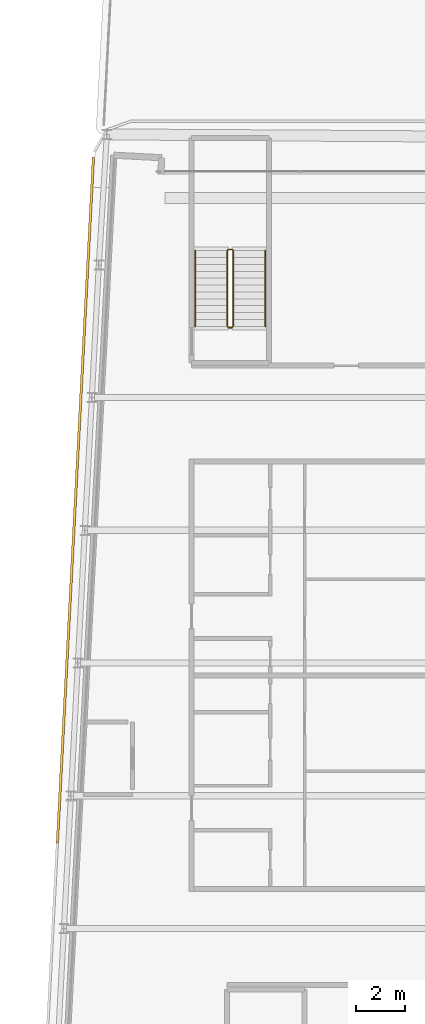
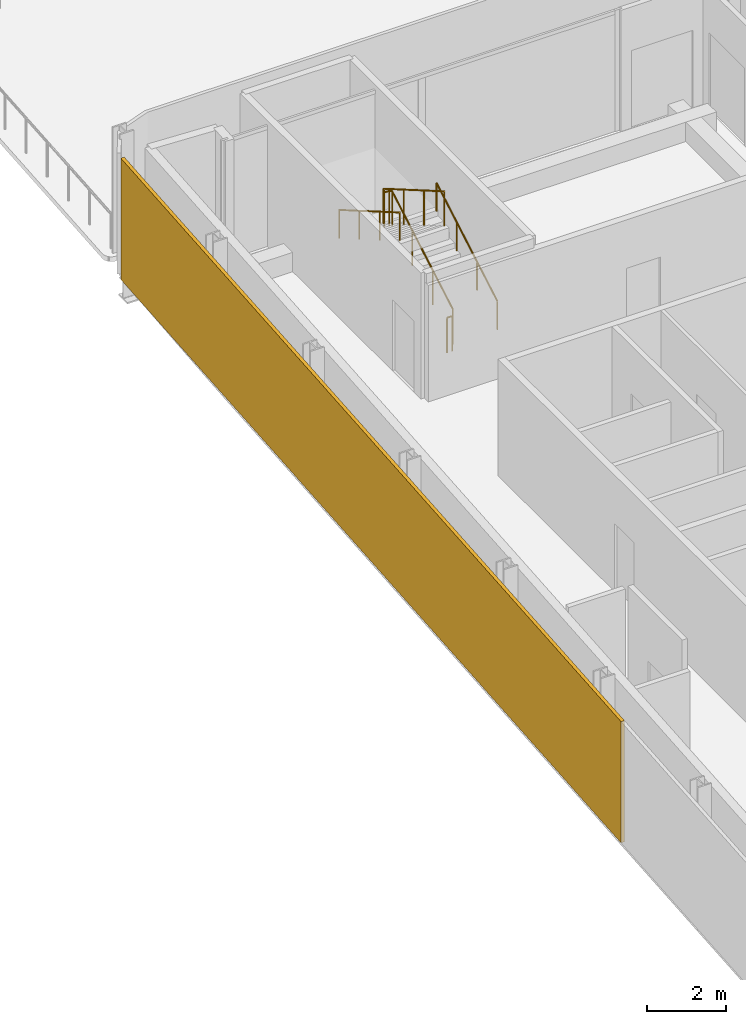
# One storey, part 20 of 22: 4 railings, 1 shading device.
"""IFC4 building model written with IfcOpenShell, lengths in metres."""

from ifc_helpers import new_model, si_unit, direction, frame, origin, origin_2d, place, context, subcontext, project, spatial, rectangle, circle, extrude, material, layer, layer_set, type_object, element, save


model = new_model("IFC4")

# Units and contexts
model_context = context("Model", 3, precision=1e-05, world=origin(), true_north=direction((0.0, 1.0)))
body_context = subcontext(model_context, "Body", "Model", "MODEL_VIEW")
ifc_project = project(units=[si_unit("LENGTHUNIT", "METRE"), si_unit("AREAUNIT", "SQUARE_METRE"), si_unit("VOLUMEUNIT", "CUBIC_METRE"), si_unit("PLANEANGLEUNIT", "RADIAN"), si_unit("MASSUNIT", "GRAM", prefix="KILO")], contexts=[model_context])

# Site, building, storey
site_placement = place(None, origin())
site = spatial("IfcSite", under=ifc_project, at=site_placement, CompositionType="ELEMENT")
building_placement = place(site_placement, origin())
building = spatial("IfcBuilding", under=site, at=building_placement, Name="Kheshtan School and Residences Tower", CompositionType="ELEMENT")
storey_placement = place(building_placement, frame((0.0, 0.0, 216.199951171875)))
storey = spatial("IfcBuildingStorey", under=building, at=storey_placement, Name="L50", CompositionType="ELEMENT", Elevation=216.199951171875)

# Shading device
ifc_material_1 = material(Name="Terracotta baguette, extruded ceramic", Category="masonry")
ifc_layer = layer(ifc_material_1, 0.10009765625)
ifc_layer_set = layer_set([ifc_layer], Name="Ledge screen, terracotta baguettes")
shading_device_type = type_object("IfcShadingDeviceType", Name="Ledge screen, terracotta baguettes", PredefinedType="USERDEFINED", material=ifc_layer_set)
shading_device_placement = place(storey_placement, frame((28.572998046875, 73.833984375, 0.0), z_axis=(0.0, 0.0, 1.0), x_axis=(0.052562536748, 0.998617634398, 0.0)))
element("IfcShadingDevice", 1, at=shading_device_placement, inside=storey, type_object=shading_device_type, Name="Screen L50 5", ObjectType="BAGUETTE", PredefinedType="USERDEFINED", context=body_context, shape_type="SweptSolid", body=[
    extrude(rectangle(XDim=27.93408203125, YDim=0.10009765625, at=origin_2d()), origin(), (0.0, 0.0, 1.0), 3.75),
])

# Railings
ifc_material_2 = material(Name="Stainless steel balustrade", Category="steel")
railing_type_1 = type_object("IfcRailingType", Name="Stair guard 1100", PredefinedType="GUARDRAIL", material=ifc_material_2)
railing_1_placement = place(storey_placement, frame((35.0, 80.89990234375, 0.16259765625)))
element("IfcRailing", 2, at=railing_1_placement, inside=storey, type_object=railing_type_1, Name="L50 ST3 stair guard 1", PredefinedType="GUARDRAIL", context=body_context, shape_type="SweptSolid", body=[
    extrude(circle(Radius=0.02392578125, at=origin_2d()), frame((0.0, 0.0, 1.076171875), z_axis=(0.0, 0.864920483161, 0.501908913857), x_axis=(-1.0, 0.0, 0.0)), (0.0, 0.0, 1.0), 3.56103515625),
    extrude(circle(Radius=0.02392578125, at=origin_2d()), frame((0.0, 3.080078125, 2.86328125), z_axis=(-0.707106781187, 0.707106781187, 0.0), x_axis=(-0.707106781187, -0.707106781187, 0.0)), (0.0, 0.0, 1.0), 0.07080078125),
    extrude(circle(Radius=0.02392578125, at=origin_2d()), frame((-0.050048828125, 3.130126953125, 2.86328125), z_axis=(-1.0, 0.0, 0.0), x_axis=(0.0, -1.0, 0.0)), (0.0, 0.0, 1.0), 0.14990234375),
    extrude(circle(Radius=0.02392578125, at=origin_2d()), frame((-0.199951171875, 3.130126953125, 2.86328125), z_axis=(-0.282227285176, -0.282227285176, 0.916894497205), x_axis=(0.707106781187, -0.707106781187, 0.0)), (0.0, 0.0, 1.0), 0.17724609375),
    extrude(circle(Radius=0.02392578125, at=origin_2d()), frame((-0.25, 3.080078125, 3.02587890625), z_axis=(0.0, -0.864890721111, 0.501960198159), x_axis=(1.0, 0.0, 0.0)), (0.0, 0.0, 1.0), 3.561279296875),
    extrude(circle(Radius=0.02099609375, at=origin_2d()), origin(), (0.0, 0.0, 1.0), 1.052001953125),
    extrude(circle(Radius=0.02099609375, at=origin_2d()), frame((0.0, 1.026611328125, 0.595703125)), (0.0, 0.0, 1.0), 1.052001953125),
    extrude(circle(Radius=0.02099609375, at=origin_2d()), frame((0.0, 2.053466796875, 1.191650390625)), (0.0, 0.0, 1.0), 1.052001953125),
    extrude(circle(Radius=0.02099609375, at=origin_2d()), frame((0.0, 3.080078125, 1.787353515625)), (0.0, 0.0, 1.0), 1.052001953125),
    extrude(circle(Radius=0.02099609375, at=origin_2d()), frame((-0.050048828125, 3.130126953125, 1.787353515625)), (0.0, 0.0, 1.0), 1.052001953125),
    extrude(circle(Radius=0.02099609375, at=origin_2d()), frame((-0.199951171875, 3.130126953125, 1.787353515625)), (0.0, 0.0, 1.0), 1.052001953125),
    extrude(circle(Radius=0.02099609375, at=origin_2d()), frame((-0.25, 3.080078125, 1.949951171875)), (0.0, 0.0, 1.0), 1.052001953125),
    extrude(circle(Radius=0.02099609375, at=origin_2d()), frame((-0.25, 2.053466796875, 2.5458984375)), (0.0, 0.0, 1.0), 1.052001953125),
    extrude(circle(Radius=0.02099609375, at=origin_2d()), frame((-0.25, 1.026611328125, 3.1416015625)), (0.0, 0.0, 1.0), 1.052001953125),
    extrude(circle(Radius=0.02099609375, at=origin_2d()), frame((-0.25, 0.0, 3.737548828125)), (0.0, 0.0, 1.0), 1.052001953125),
])
railing_2_placement = place(storey_placement, frame((34.949951171875, 80.85009765625, 0.0)))
element("IfcRailing", 3, at=railing_2_placement, inside=storey, type_object=railing_type_1, Name="L50 ST3 stair guard 2", PredefinedType="GUARDRAIL", context=body_context, shape_type="SweptSolid", body=[
    extrude(circle(Radius=0.02392578125, at=origin_2d()), frame((0.0, 0.0, 1.076171875), z_axis=(-1.0, 0.0, 0.0), x_axis=(0.0, -1.0, 0.0)), (0.0, 0.0, 1.0), 0.14990234375),
    extrude(circle(Radius=0.02099609375, at=origin_2d()), origin(), (0.0, 0.0, 1.0), 1.052001953125),
    extrude(circle(Radius=0.02099609375, at=origin_2d()), frame((-0.14990234375, 0.0, 0.0)), (0.0, 0.0, 1.0), 1.052001953125),
])
ifc_material_3 = material(Name="Stainless steel handrail", Category="steel")
railing_type_2 = type_object("IfcRailingType", Name="Stair handrail 900", PredefinedType="HANDRAIL", material=ifc_material_3)
railing_3_placement = place(storey_placement, frame((36.300048828125, 80.89990234375, 0.16259765625)))
element("IfcRailing", 4, at=railing_3_placement, inside=storey, type_object=railing_type_2, Name="L50 ST3 stair handrail 1", PredefinedType="HANDRAIL", context=body_context, shape_type="SweptSolid", body=[
    extrude(circle(Radius=0.02392578125, at=origin_2d()), frame((0.0, 0.0, 0.8759765625), z_axis=(0.0, 0.864920483161, 0.501908913857), x_axis=(-1.0, 0.0, 0.0)), (0.0, 0.0, 1.0), 3.56103515625),
    extrude(circle(Radius=0.02099609375, at=origin_2d()), origin(), (0.0, 0.0, 1.0), 0.851806640625),
    extrude(circle(Radius=0.02099609375, at=origin_2d()), frame((0.0, 1.026611328125, 0.595703125)), (0.0, 0.0, 1.0), 0.851806640625),
    extrude(circle(Radius=0.02099609375, at=origin_2d()), frame((0.0, 2.053466796875, 1.191650390625)), (0.0, 0.0, 1.0), 0.851806640625),
    extrude(circle(Radius=0.02099609375, at=origin_2d()), frame((0.0, 3.080078125, 1.787353515625)), (0.0, 0.0, 1.0), 0.851806640625),
])
railing_4_placement = place(storey_placement, frame((33.449951171875, 83.97998046875, 2.112548828125)))
element("IfcRailing", 5, at=railing_4_placement, inside=storey, type_object=railing_type_2, Name="L50 ST3 stair handrail 2", PredefinedType="HANDRAIL", context=body_context, shape_type="SweptSolid", body=[
    extrude(circle(Radius=0.02392578125, at=origin_2d()), frame((0.0, 0.0, 0.8759765625), z_axis=(0.0, -0.864890721111, 0.501960198159), x_axis=(1.0, 0.0, 0.0)), (0.0, 0.0, 1.0), 3.561279296875),
    extrude(circle(Radius=0.02099609375, at=origin_2d()), origin(), (0.0, 0.0, 1.0), 0.851806640625),
    extrude(circle(Radius=0.02099609375, at=origin_2d()), frame((0.0, -1.026611328125, 0.595947265625)), (0.0, 0.0, 1.0), 0.851806640625),
    extrude(circle(Radius=0.02099609375, at=origin_2d()), frame((0.0, -2.053466796875, 1.191650390625)), (0.0, 0.0, 1.0), 0.851806640625),
    extrude(circle(Radius=0.02099609375, at=origin_2d()), frame((0.0, -3.080078125, 1.78759765625)), (0.0, 0.0, 1.0), 0.851806640625),
])

save(model, "model.ifc")
